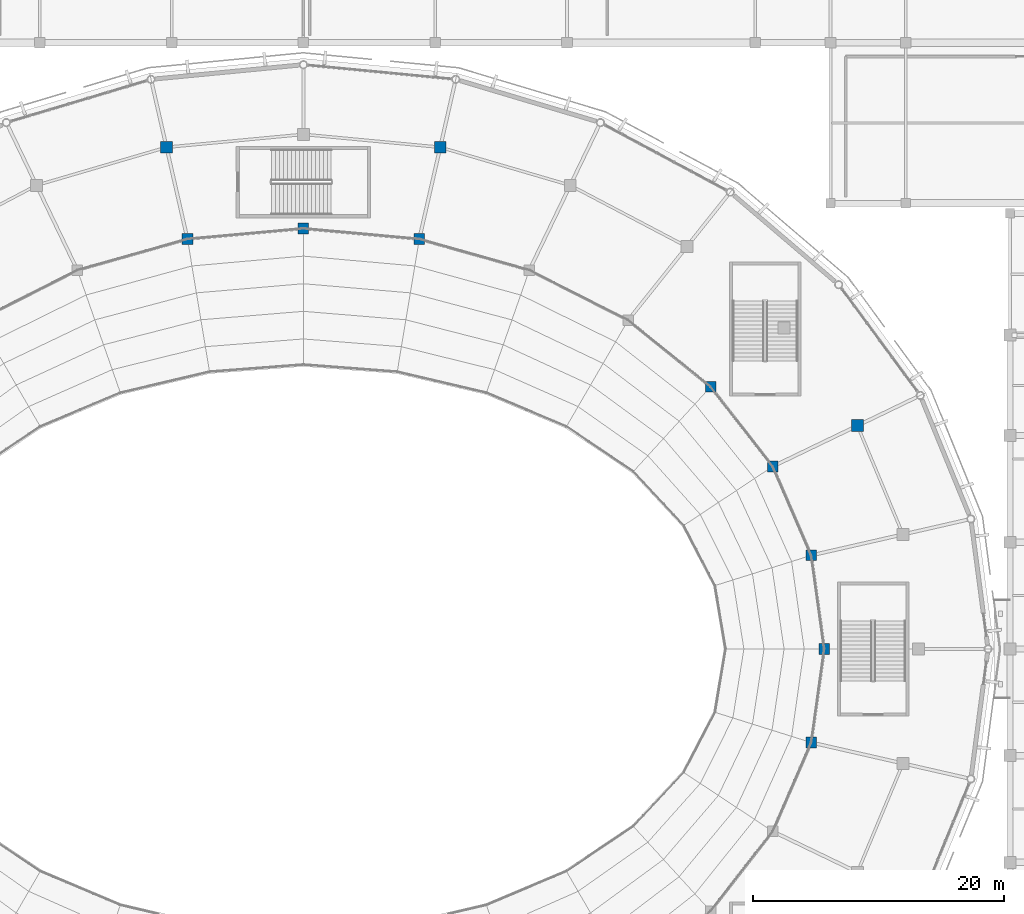
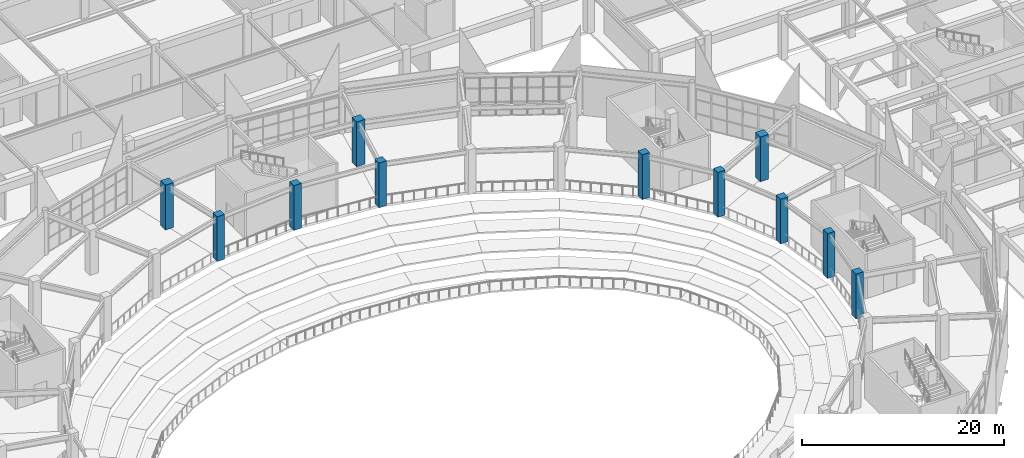
# One storey, part 8 of 120: 11 columns.
"""IFC4 building model written with IfcOpenShell, lengths in metres."""

from ifc_helpers import new_model, si_unit, direction, frame, origin, origin_2d, place, context, subcontext, project, spatial, rectangle, extrude, material, material_profile, profile_set, type_object, element, save


model = new_model("IFC4")

# Units and contexts
model_context = context("Model", 3, precision=1e-05, world=origin(), true_north=direction((0.0, 1.0)))
body_context = subcontext(model_context, "Body", "Model", "MODEL_VIEW")
ifc_project = project(units=[si_unit("LENGTHUNIT", "METRE"), si_unit("AREAUNIT", "SQUARE_METRE"), si_unit("VOLUMEUNIT", "CUBIC_METRE"), si_unit("PLANEANGLEUNIT", "RADIAN"), si_unit("MASSUNIT", "GRAM", prefix="KILO")], contexts=[model_context])

# Site, building, storey
site_placement = place(None, origin())
site = spatial("IfcSite", under=ifc_project, at=site_placement, CompositionType="ELEMENT")
building_placement = place(site_placement, origin())
building = spatial("IfcBuilding", under=site, at=building_placement, Name="Cuetzalor Civic Arena", CompositionType="ELEMENT")
storey_placement = place(building_placement, frame((0.0, 0.0, 6.0)))
storey = spatial("IfcBuildingStorey", under=building, at=storey_placement, Name="L01", CompositionType="ELEMENT", Elevation=6.0)

# Columns
ifc_material_1 = material(Name="Concrete C40/50", Category="concrete")
ifc_material_profile_1 = material_profile(ifc_material_1, rectangle(XDim=0.85009765625, YDim=0.85009765625, at=origin_2d()), Name="RC 850x850")
ifc_profile_set_1 = profile_set([ifc_material_profile_1], Name="Concrete C40/50")
column_type_1 = type_object("IfcColumnType", Name="ConcreteColumn_850", PredefinedType="COLUMN", material=ifc_profile_set_1)
for number, where, z_axis, x_axis, name in (
    (1, (41.5, 0.0, 0.0), (0.0, 0.0, 1.0), (1.0, 0.0, 0.0), "Column V1-MID-01 L01"),
    (2, (40.45947265625, 7.45458984375, 0.0), (0.0, 0.0, 1.0), (1.0, 0.0, 0.0), "Column V1-MID-02 L01"),
    (3, (37.39013671875, 14.53515625, 0.0), (0.0, 0.0, 1.0), (1.0, 0.0, 0.0), "Column V1-MID-03 L01"),
    (4, (32.446044921875, 20.886962890625, 0.0), (0.0, 0.0, 1.0), (1.0, 0.0, 0.0), "Column V1-MID-04 L01"),
    (5, (9.234619140625, 32.66015625, 0.0), (0.0, 0.0, 1.0), (1.0, 0.0, 0.0), "Column V1-MID-07 L01"),
    (6, (0.0, 33.5, 0.0), (0.0, 0.0, 1.0), (1.0, 0.0, 0.0), "Column V1-MID-08 L01"),
    (7, (-9.234619140625, 32.66015625, 0.0), (0.0, 0.0, 1.0), (1.0, 0.0, 0.0), "Column V1-MID-09 L01"),
    (8, (40.45947265625, -7.45458984375, 0.0), (0.0, 0.0, 1.0), (1.0, 0.0, 0.0), "Column V1-MID-28 L01"),
):
    element("IfcColumn", number, at=place(storey_placement, frame(where, z_axis=z_axis, x_axis=x_axis)), inside=storey, type_object=column_type_1, Name=name, PredefinedType="COLUMN", context=body_context, shape_type="SweptSolid", body=[
        extrude(rectangle(XDim=0.85009765625, YDim=0.85009765625, at=origin_2d()), origin(), (0.0, 0.0, 1.0), 5.39990234375),
    ])
ifc_material_2 = material(Name="Concrete C40/50", Category="concrete")
ifc_material_profile_2 = material_profile(ifc_material_2, rectangle(XDim=0.949951171875, YDim=0.949951171875, at=origin_2d()), Name="RC 950x950")
ifc_profile_set_2 = profile_set([ifc_material_profile_2], Name="Concrete C40/50")
column_type_2 = type_object("IfcColumnType", Name="ConcreteColumn_950", PredefinedType="COLUMN", material=ifc_profile_set_2)
for number, where, z_axis, x_axis, name in (
    (9, (44.1474609375, 17.789306640625, 0.0), (0.0, 0.0, 1.0), (1.0, 0.0, 0.0), "Column V1-REC-03 L01"),
    (10, (10.903564453125, 39.971923828125, 0.0), (0.0, 0.0, 1.0), (1.0, 0.0, 0.0), "Column V1-REC-07 L01"),
    (11, (-10.903564453125, 39.971923828125, 0.0), (0.0, 0.0, 1.0), (1.0, 0.0, 0.0), "Column V1-REC-09 L01"),
):
    element("IfcColumn", number, at=place(storey_placement, frame(where, z_axis=z_axis, x_axis=x_axis)), inside=storey, type_object=column_type_2, Name=name, PredefinedType="COLUMN", context=body_context, shape_type="SweptSolid", body=[
        extrude(rectangle(XDim=0.949951171875, YDim=0.949951171875, at=origin_2d()), origin(), (0.0, 0.0, 1.0), 5.39990234375),
    ])

save(model, "model.ifc")
